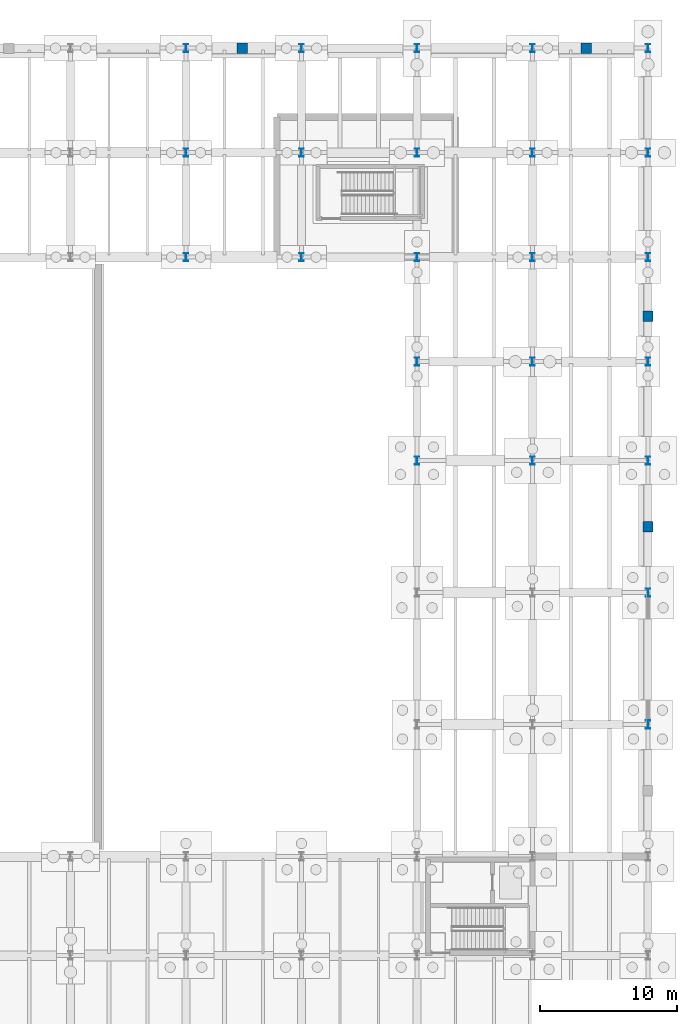
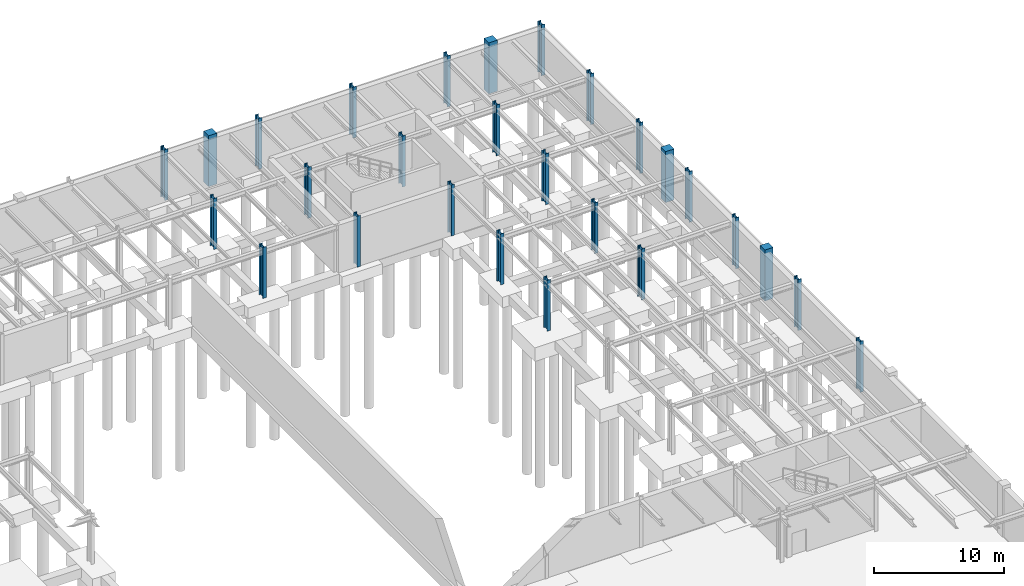
# One storey, part 27 of 59: 27 columns.
"""IFC4 building model written with IfcOpenShell, lengths in metres."""

from ifc_helpers import new_model, si_unit, direction, frame, origin, origin_2d, place, context, subcontext, project, spatial, rectangle, i_section, extrude, material, material_profile, profile_set, type_object, element, save


model = new_model("IFC4")

# Units and contexts
model_context = context("Model", 3, precision=1e-05, world=origin(), true_north=direction((0.0, 1.0)))
body_context = subcontext(model_context, "Body", "Model", "MODEL_VIEW")
ifc_project = project(units=[si_unit("LENGTHUNIT", "METRE"), si_unit("AREAUNIT", "SQUARE_METRE"), si_unit("VOLUMEUNIT", "CUBIC_METRE"), si_unit("PLANEANGLEUNIT", "RADIAN"), si_unit("MASSUNIT", "GRAM", prefix="KILO")], contexts=[model_context])

# Site, building, storey
site_placement = place(None, origin())
site = spatial("IfcSite", under=ifc_project, at=site_placement, CompositionType="ELEMENT")
building_placement = place(site_placement, origin())
building = spatial("IfcBuilding", under=site, at=building_placement, Name="Montealbar Specialist Clinic", CompositionType="ELEMENT")
storey_placement = place(building_placement, frame((0.0, 0.0, -4.800048828125)))
storey = spatial("IfcBuildingStorey", under=building, at=storey_placement, Name="B01", CompositionType="ELEMENT", Elevation=-4.800048828125)

# Columns
ifc_material_1 = material(Name="Steel S355", Category="steel")
ifc_material_profile_1 = material_profile(ifc_material_1, i_section(OverallWidth=0.300048828125, OverallDepth=0.60009765625, WebThickness=0.015380859375, FlangeThickness=0.030029296875, FilletRadius=0.027099609375, at=origin_2d()), Name="HEB 600", Category="steel")
ifc_profile_set_1 = profile_set([ifc_material_profile_1], Name="Steel S355")
column_type_1 = type_object("IfcColumnType", Name="COL-S-B01-STD", PredefinedType="COLUMN", material=ifc_profile_set_1)
for number, where, z_axis, x_axis, name in (
    (1, (136.800048828125, 103.39990234375, 0.0), (0.0, 0.0, 1.0), (1.0, 0.0, 0.0), "Column 18/N B01"),
    (2, (145.199951171875, 103.39990234375, 0.0), (0.0, 0.0, 1.0), (1.0, 0.0, 0.0), "Column 19/N B01"),
):
    element("IfcColumn", number, at=place(storey_placement, frame(where, z_axis=z_axis, x_axis=x_axis)), inside=storey, type_object=column_type_1, Name=name, PredefinedType="COLUMN", context=body_context, shape_type="SweptSolid", body=[
        extrude(i_section(OverallWidth=0.300048828125, OverallDepth=0.60009765625, WebThickness=0.015380859375, FlangeThickness=0.030029296875, FilletRadius=0.027099609375, at=origin_2d()), origin(), (0.0, 0.0, 1.0), 4.800048828125),
    ])
ifc_material_profile_2 = material_profile(ifc_material_1, i_section(OverallWidth=0.300048828125, OverallDepth=0.60009765625, WebThickness=0.015380859375, FlangeThickness=0.030029296875, FilletRadius=0.027099609375, at=origin_2d()), Name="HEB 600", Category="steel")
ifc_profile_set_2 = profile_set([ifc_material_profile_2], Name="Steel S355")
column_type_2 = type_object("IfcColumnType", Name="COL-S-B01-STD-EXT", PredefinedType="COLUMN", material=ifc_profile_set_2)
for number, where, z_axis, x_axis, name in (
    (3, (128.39990234375, 95.800048828125, 0.0), (0.0, 0.0, 1.0), (1.0, 0.0, 0.0), "Column 17/M B01"),
    (4, (128.39990234375, 103.39990234375, 0.0), (0.0, 0.0, 1.0), (1.0, 0.0, 0.0), "Column 17/N B01"),
    (5, (128.39990234375, 111.0, 0.0), (0.0, 0.0, 1.0), (1.0, 0.0, 0.0), "Column 17/P B01"),
    (6, (136.800048828125, 95.800048828125, 0.0), (0.0, 0.0, 1.0), (1.0, 0.0, 0.0), "Column 18/M B01"),
    (7, (136.800048828125, 111.0, 0.0), (0.0, 0.0, 1.0), (1.0, 0.0, 0.0), "Column 18/P B01"),
    (8, (145.199951171875, 81.0, 0.0), (0.0, 0.0, 1.0), (1.0, 0.0, 0.0), "Column 19/K B01"),
    (9, (145.199951171875, 88.199951171875, 0.0), (0.0, 0.0, 1.0), (1.0, 0.0, 0.0), "Column 19/L B01"),
    (10, (145.199951171875, 95.800048828125, 0.0), (0.0, 0.0, 1.0), (1.0, 0.0, 0.0), "Column 19/M B01"),
    (11, (145.199951171875, 111.0, 0.0), (0.0, 0.0, 1.0), (1.0, 0.0, 0.0), "Column 19/P B01"),
    (12, (153.60009765625, 81.0, 0.0), (0.0, 0.0, 1.0), (1.0, 0.0, 0.0), "Column 20/K B01"),
    (13, (153.60009765625, 88.199951171875, 0.0), (0.0, 0.0, 1.0), (1.0, 0.0, 0.0), "Column 20/L B01"),
    (14, (153.60009765625, 95.800048828125, 0.0), (0.0, 0.0, 1.0), (1.0, 0.0, 0.0), "Column 20/M B01"),
    (15, (153.60009765625, 103.39990234375, 0.0), (0.0, 0.0, 1.0), (1.0, 0.0, 0.0), "Column 20/N B01"),
    (16, (153.60009765625, 111.0, 0.0), (0.0, 0.0, 1.0), (1.0, 0.0, 0.0), "Column 20/P B01"),
    (17, (162.0, 61.800048828125, 0.0), (0.0, 0.0, 1.0), (1.0, 0.0, 0.0), "Column 21/H B01"),
    (18, (162.0, 71.39990234375, 0.0), (0.0, 0.0, 1.0), (1.0, 0.0, 0.0), "Column 21/J B01"),
    (19, (162.0, 81.0, 0.0), (0.0, 0.0, 1.0), (1.0, 0.0, 0.0), "Column 21/K B01"),
    (20, (162.0, 88.199951171875, 0.0), (0.0, 0.0, 1.0), (1.0, 0.0, 0.0), "Column 21/L B01"),
    (21, (162.0, 95.800048828125, 0.0), (0.0, 0.0, 1.0), (1.0, 0.0, 0.0), "Column 21/M B01"),
    (22, (162.0, 103.39990234375, 0.0), (0.0, 0.0, 1.0), (1.0, 0.0, 0.0), "Column 21/N B01"),
    (23, (162.0, 111.0, 0.0), (0.0, 0.0, 1.0), (1.0, 0.0, 0.0), "Column 21/P B01"),
):
    element("IfcColumn", number, at=place(storey_placement, frame(where, z_axis=z_axis, x_axis=x_axis)), inside=storey, type_object=column_type_2, Name=name, PredefinedType="COLUMN", context=body_context, shape_type="SweptSolid", body=[
        extrude(i_section(OverallWidth=0.300048828125, OverallDepth=0.60009765625, WebThickness=0.015380859375, FlangeThickness=0.030029296875, FilletRadius=0.027099609375, at=origin_2d()), origin(), (0.0, 0.0, 1.0), 4.800048828125),
    ])
ifc_material_2 = material(Name="Guadarrama granite ashlar", Category="masonry")
ifc_material_profile_3 = material_profile(ifc_material_2, rectangle(XDim=0.75, YDim=0.75, at=origin_2d()), Name="GRANITE PILASTER 750x750", Category="masonry")
ifc_profile_set_3 = profile_set([ifc_material_profile_3], Name="Guadarrama granite ashlar")
column_type_3 = type_object("IfcColumnType", Name="PIL-PM-GIANT-INT", PredefinedType="PILASTER", material=ifc_profile_set_3)
for number, where, z_axis, x_axis, name in (
    (24, (132.5, 111.0, 0.0), (0.0, 0.0, 1.0), (1.0, 0.0, 0.0), "Column NP11/P B01"),
    (25, (157.5, 111.0, 0.0), (0.0, 0.0, 1.0), (1.0, 0.0, 0.0), "Column NP12/P B01"),
    (26, (162.0, 76.199951171875, 0.0), (0.0, 0.0, 1.0), (1.0, 0.0, 0.0), "Column EP3/JK B01"),
    (27, (162.0, 91.5, 0.0), (0.0, 0.0, 1.0), (1.0, 0.0, 0.0), "Column EP4/LM B01"),
):
    element("IfcColumn", number, at=place(storey_placement, frame(where, z_axis=z_axis, x_axis=x_axis)), inside=storey, type_object=column_type_3, Name=name, PredefinedType="PILASTER", context=body_context, shape_type="SweptSolid", body=[
        extrude(rectangle(XDim=0.75, YDim=0.75, at=origin_2d()), origin(), (0.0, 0.0, 1.0), 4.800048828125),
    ])

save(model, "model.ifc")
